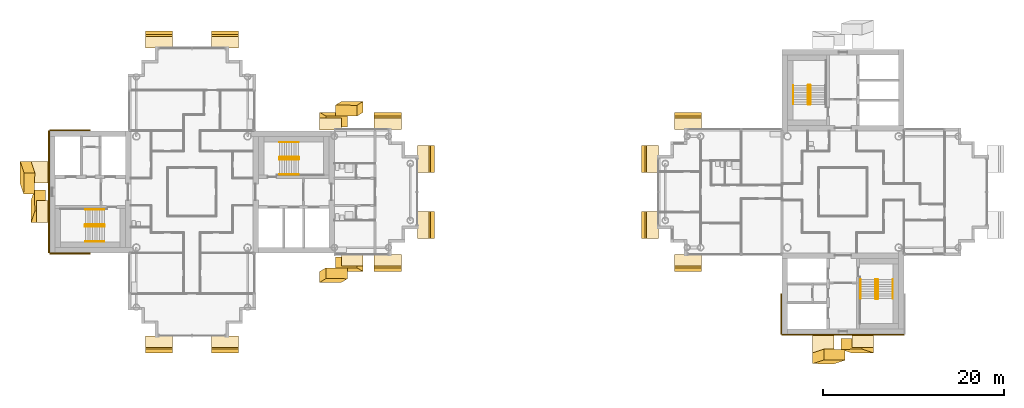
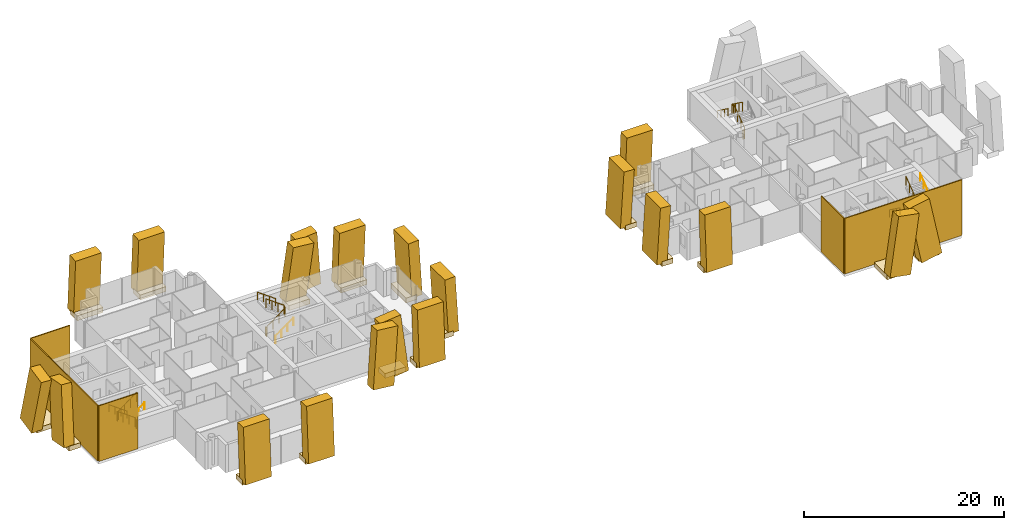
# One storey, part 16 of 18: 43 coverings, 11 railings.
"""IFC4 building model written with IfcOpenShell, lengths in metres."""

from ifc_helpers import new_model, si_unit, direction, frame, origin, origin_2d, place, context, subcontext, project, spatial, rectangle, circle, extrude, material, layer, layer_set, material_profile, profile_set, type_object, element, save


model = new_model("IFC4")

# Units and contexts
model_context = context("Model", 3, precision=1e-05, world=origin(), true_north=direction((0.0, 1.0)))
body_context = subcontext(model_context, "Body", "Model", "MODEL_VIEW")
ifc_project = project(units=[si_unit("LENGTHUNIT", "METRE"), si_unit("AREAUNIT", "SQUARE_METRE"), si_unit("VOLUMEUNIT", "CUBIC_METRE"), si_unit("PLANEANGLEUNIT", "RADIAN"), si_unit("MASSUNIT", "GRAM", prefix="KILO")], contexts=[model_context])

# Site, building, storey
site_placement = place(None, origin())
site = spatial("IfcSite", under=ifc_project, at=site_placement, CompositionType="ELEMENT")
building_placement = place(site_placement, origin())
building = spatial("IfcBuilding", under=site, at=building_placement, Name="Ipe Terrace Towers", CompositionType="ELEMENT")
storey_placement = place(building_placement, frame((0.0, 0.0, 196.0)))
storey = spatial("IfcBuildingStorey", under=building, at=storey_placement, Name="L54", CompositionType="ELEMENT", Elevation=196.0)

# Coverings
ifc_material_1 = material(Name="Concrete C50/60 precast, buff finish", Category="concrete")
ifc_layer = layer(ifc_material_1, 0.1201171875)
ifc_layer_set = layer_set([ifc_layer], Name="STONE CORE CLADDING 120")
covering_type_1 = type_object("IfcCoveringType", Name="STONE CORE CLADDING 120", PredefinedType="CLADDING", material=ifc_layer_set)
covering_1_placement = place(storey_placement, frame((-49.5, -6.81005859375, 0.0), z_axis=(0.0, 0.0, 1.0), x_axis=(1.0, 0.0, 0.0)))
element("IfcCovering", 1, at=covering_1_placement, inside=storey, type_object=covering_type_1, Name="stone core cladding", PredefinedType="CLADDING", context=body_context, shape_type="SweptSolid", body=[
    extrude(rectangle(XDim=4.5, YDim=0.1201171875, at=origin_2d()), origin(), (0.0, 0.0, 1.0), 6.800048828125),
])
covering_2_placement = place(storey_placement, frame((-51.81005859375, 0.0, 0.0), z_axis=(0.0, 0.0, 1.0), x_axis=(0.0, -1.0, 0.0)))
element("IfcCovering", 2, at=covering_2_placement, inside=storey, type_object=covering_type_1, Name="stone core cladding", PredefinedType="CLADDING", context=body_context, shape_type="SweptSolid", body=[
    extrude(rectangle(XDim=13.5, YDim=0.1201171875, at=origin_2d()), origin(), (0.0, 0.0, 1.0), 6.800048828125),
])
covering_3_placement = place(storey_placement, frame((-49.5, 6.81005859375, 0.0), z_axis=(0.0, 0.0, 1.0), x_axis=(-1.0, 0.0, 0.0)))
element("IfcCovering", 3, at=covering_3_placement, inside=storey, type_object=covering_type_1, Name="stone core cladding", PredefinedType="CLADDING", context=body_context, shape_type="SweptSolid", body=[
    extrude(rectangle(XDim=4.5, YDim=0.1201171875, at=origin_2d()), origin(), (0.0, 0.0, 1.0), 6.800048828125),
])
covering_4_placement = place(storey_placement, frame((36.0, -15.81005859375, 0.0), z_axis=(0.0, 0.0, 1.0), x_axis=(1.0, 0.0, 0.0)))
element("IfcCovering", 4, at=covering_4_placement, inside=storey, type_object=covering_type_1, Name="stone core cladding", PredefinedType="CLADDING", context=body_context, shape_type="SweptSolid", body=[
    extrude(rectangle(XDim=13.5, YDim=0.1201171875, at=origin_2d()), origin(), (0.0, 0.0, 1.0), 6.800048828125),
])
covering_5_placement = place(storey_placement, frame((29.18994140625, -13.5, 0.0), z_axis=(0.0, 0.0, 1.0), x_axis=(0.0, -1.0, 0.0)))
element("IfcCovering", 5, at=covering_5_placement, inside=storey, type_object=covering_type_1, Name="stone core cladding", PredefinedType="CLADDING", context=body_context, shape_type="SweptSolid", body=[
    extrude(rectangle(XDim=4.5, YDim=0.1201171875, at=origin_2d()), origin(), (0.0, 0.0, 1.0), 6.800048828125),
])
ifc_material_2 = material(Name="Concrete C50/60 precast, buff finish", Category="concrete")
ifc_material_profile_1 = material_profile(ifc_material_2, rectangle(XDim=2.39990234375, YDim=1.199951171875, at=origin_2d()), Name="STONE FIN 2400 x 1200")
ifc_profile_set_1 = profile_set([ifc_material_profile_1], Name="Concrete C50/60 precast, buff finish")
covering_type_2 = type_object("IfcCoveringType", Name="STONE FIN 2400 x 1200", PredefinedType="USERDEFINED", material=ifc_profile_set_1)
for number, where, z_axis, x_axis, name in (
    (6, (-20.675048828125, -9.406005859375, 0.0), (0.099630455654, 0.060191914511, 0.993202248152), (0.995024508395, -0.006026934833, -0.099447995205), "stone fin"),
    (7, (-20.675048828125, 8.2060546875, 0.0), (0.099630455654, -0.060191914511, 0.993202248152), (-0.995024508395, -0.006026934833, 0.099447995205), "stone fin"),
    (8, (-18.27490234375, -8.2060546875, 0.0), (-0.099630455654, 0.060191914511, 0.993202248152), (0.995024508395, 0.006026934833, 0.099447995205), "stone fin"),
    (9, (-18.27490234375, 9.406005859375, 0.0), (-0.099630455654, -0.060191914511, 0.993202248152), (-0.995024508395, 0.006026934833, -0.099447995205), "stone fin"),
):
    element("IfcCovering", number, at=place(storey_placement, frame(where, z_axis=z_axis, x_axis=x_axis)), inside=storey, type_object=covering_type_2, Name=name, ObjectType="FIN", PredefinedType="USERDEFINED", context=body_context, shape_type="SweptSolid", body=[
        extrude(rectangle(XDim=2.39990234375, YDim=1.199951171875, at=origin_2d()), origin(), (0.0, 0.0, 1.0), 6.8466796875),
    ])
for number, where, z_axis, x_axis, name in (
    (10, (-54.406005859375, 2.169921875, 0.0), (0.05952443799, -0.178220681043, 0.982188490123), (-0.010781085201, -0.983990543069, -0.177894292638), "stone fin"),
    (11, (-53.2060546875, -2.169921875, 0.0), (0.05952443799, 0.178220681043, 0.982188490123), (0.010781085201, -0.983990543069, 0.177894292638), "stone fin"),
    (12, (38.169921875, -17.2060546875, 0.0), (-0.178220681043, 0.05952443799, 0.982188490123), (0.983990543069, 0.010781085201, 0.177894292638), "stone fin"),
    (13, (33.830078125, -18.406005859375, 0.0), (0.178220681043, 0.05952443799, 0.982188490123), (0.983990543069, -0.010781085201, -0.177894292638), "stone fin"),
):
    element("IfcCovering", number, at=place(storey_placement, frame(where, z_axis=z_axis, x_axis=x_axis)), inside=storey, type_object=covering_type_2, Name=name, ObjectType="FIN", PredefinedType="USERDEFINED", context=body_context, shape_type="SweptSolid", body=[
        extrude(rectangle(XDim=2.39990234375, YDim=1.199951171875, at=origin_2d()), origin(), (0.0, 0.0, 1.0), 6.92333984375),
    ])
ifc_material_3 = material(Name="Concrete C50/60 precast, buff finish", Category="concrete")
ifc_material_profile_2 = material_profile(ifc_material_3, rectangle(XDim=3.0, YDim=1.199951171875, at=origin_2d()), Name="STONE FIN CORNER 3000 x 1200")
ifc_profile_set_2 = profile_set([ifc_material_profile_2], Name="Concrete C50/60 precast, buff finish")
covering_type_3 = type_object("IfcCoveringType", Name="STONE FIN CORNER 3000 x 1200", PredefinedType="USERDEFINED", material=ifc_profile_set_2)
for number, where, z_axis, x_axis, name in (
    (14, (-9.7939453125, -3.64990234375, 0.0), (-0.060492896409, 0.0, 0.99816862778), (0.0, 1.0, 0.0), "stone fin"),
    (15, (-9.7939453125, 3.64990234375, 0.0), (-0.060492896409, 0.0, 0.99816862778), (0.0, 1.0, 0.0), "stone fin"),
    (16, (-14.35009765625, -8.2060546875, 0.0), (0.0, 0.060492896409, 0.99816862778), (1.0, 0.0, 0.0), "stone fin"),
    (17, (-14.35009765625, 8.2060546875, 0.0), (0.0, -0.060492896409, 0.99816862778), (-1.0, 0.0, 0.0), "stone fin"),
    (18, (-32.35009765625, -17.2060546875, 0.0), (0.0, 0.060492896409, 0.99816862778), (1.0, 0.0, 0.0), "stone fin"),
    (19, (-32.35009765625, 17.2060546875, 0.0), (0.0, -0.060492896409, 0.99816862778), (-1.0, 0.0, 0.0), "stone fin"),
    (20, (-39.64990234375, -17.2060546875, 0.0), (0.0, 0.060492896409, 0.99816862778), (1.0, 0.0, 0.0), "stone fin"),
    (21, (-39.64990234375, 17.2060546875, 0.0), (0.0, -0.060492896409, 0.99816862778), (-1.0, 0.0, 0.0), "stone fin"),
    (22, (14.2939453125, -3.64990234375, 0.0), (0.060492896409, 0.0, 0.99816862778), (0.0, -1.0, 0.0), "stone fin"),
    (23, (14.2939453125, 3.64990234375, 0.0), (0.060492896409, 0.0, 0.99816862778), (0.0, -1.0, 0.0), "stone fin"),
    (24, (18.85009765625, -8.2060546875, 0.0), (0.0, 0.060492896409, 0.99816862778), (1.0, 0.0, 0.0), "stone fin"),
    (25, (18.85009765625, 8.2060546875, 0.0), (0.0, -0.060492896409, 0.99816862778), (-1.0, 0.0, 0.0), "stone fin"),
):
    element("IfcCovering", number, at=place(storey_placement, frame(where, z_axis=z_axis, x_axis=x_axis)), inside=storey, type_object=covering_type_3, Name=name, ObjectType="FIN", PredefinedType="USERDEFINED", context=body_context, shape_type="SweptSolid", body=[
        extrude(rectangle(XDim=3.0, YDim=1.199951171875, at=origin_2d()), origin(), (0.0, 0.0, 1.0), 6.8125),
    ])
ifc_material_4 = material(Name="Concrete C50/60 precast, buff finish", Category="concrete")
covering_type_4 = type_object("IfcCoveringType", Name="STONE FIN SHELF 2400 x 600", PredefinedType="CLADDING", material=ifc_material_4)
covering_6_placement = place(storey_placement, frame((-20.675048828125, 7.532958984375, -0.35009765625), z_axis=(0.0, 0.0, 1.0), x_axis=(-1.0, 0.0, 0.0)))
element("IfcCovering", 26, at=covering_6_placement, inside=storey, type_object=covering_type_4, Name="stone fin shelf", PredefinedType="CLADDING", context=body_context, shape_type="SweptSolid", body=[
    extrude(rectangle(XDim=2.39990234375, YDim=1.345947265625, at=origin_2d()), origin(), (0.0, 0.0, 1.0), 0.60009765625),
])
covering_7_placement = place(storey_placement, frame((-18.27490234375, -7.56103515625, -0.35009765625), z_axis=(0.0, 0.0, 1.0), x_axis=(1.0, 0.0, 0.0)))
element("IfcCovering", 27, at=covering_7_placement, inside=storey, type_object=covering_type_4, Name="stone fin shelf", PredefinedType="CLADDING", context=body_context, shape_type="SweptSolid", body=[
    extrude(rectangle(XDim=2.39990234375, YDim=1.2900390625, at=origin_2d()), origin(), (0.0, 0.0, 1.0), 0.60009765625),
])
covering_8_placement = place(storey_placement, frame((-53.133056640625, 2.169921875, -0.35009765625), z_axis=(0.0, 0.0, 1.0), x_axis=(0.0, -1.0, 0.0)))
element("IfcCovering", 28, at=covering_8_placement, inside=storey, type_object=covering_type_4, Name="stone fin shelf", PredefinedType="CLADDING", context=body_context, shape_type="SweptSolid", body=[
    extrude(rectangle(XDim=2.39990234375, YDim=2.5458984375, at=origin_2d()), origin(), (0.0, 0.0, 1.0), 0.60009765625),
])
for number, where, z_axis, x_axis, name in (
    (29, (-52.532958984375, -2.169921875, -0.35009765625), (0.0, 0.0, 1.0), (0.0, -1.0, 0.0), "stone fin shelf"),
    (30, (38.169921875, -16.532958984375, -0.35009765625), (0.0, 0.0, 1.0), (1.0, 0.0, 0.0), "stone fin shelf"),
):
    element("IfcCovering", number, at=place(storey_placement, frame(where, z_axis=z_axis, x_axis=x_axis)), inside=storey, type_object=covering_type_4, Name=name, PredefinedType="CLADDING", context=body_context, shape_type="SweptSolid", body=[
        extrude(rectangle(XDim=2.39990234375, YDim=1.345947265625, at=origin_2d()), origin(), (0.0, 0.0, 1.0), 0.60009765625),
    ])
covering_9_placement = place(storey_placement, frame((33.830078125, -17.133056640625, -0.35009765625), z_axis=(0.0, 0.0, 1.0), x_axis=(1.0, 0.0, 0.0)))
element("IfcCovering", 31, at=covering_9_placement, inside=storey, type_object=covering_type_4, Name="stone fin shelf", PredefinedType="CLADDING", context=body_context, shape_type="SweptSolid", body=[
    extrude(rectangle(XDim=2.39990234375, YDim=2.5458984375, at=origin_2d()), origin(), (0.0, 0.0, 1.0), 0.60009765625),
])
ifc_material_5 = material(Name="Concrete C50/60 precast, buff finish", Category="concrete")
covering_type_5 = type_object("IfcCoveringType", Name="STONE FIN SHELF 3000 x 600", PredefinedType="CLADDING", material=ifc_material_5)
for number, where, z_axis, x_axis, name in (
    (32, (-10.43896484375, -3.64990234375, -0.35009765625), (0.0, 0.0, 1.0), (0.0, 1.0, 0.0), "stone fin shelf"),
    (33, (-10.43896484375, 3.64990234375, -0.35009765625), (0.0, 0.0, 1.0), (0.0, 1.0, 0.0), "stone fin shelf"),
    (34, (-14.35009765625, -7.56103515625, -0.35009765625), (0.0, 0.0, 1.0), (1.0, 0.0, 0.0), "stone fin shelf"),
    (35, (-14.35009765625, 7.56103515625, -0.35009765625), (0.0, 0.0, 1.0), (-1.0, 0.0, 0.0), "stone fin shelf"),
    (36, (-32.35009765625, -16.56103515625, -0.35009765625), (0.0, 0.0, 1.0), (1.0, 0.0, 0.0), "stone fin shelf"),
    (37, (-32.35009765625, 16.56103515625, -0.35009765625), (0.0, 0.0, 1.0), (-1.0, 0.0, 0.0), "stone fin shelf"),
    (38, (-39.64990234375, -16.56103515625, -0.35009765625), (0.0, 0.0, 1.0), (1.0, 0.0, 0.0), "stone fin shelf"),
    (39, (-39.64990234375, 16.56103515625, -0.35009765625), (0.0, 0.0, 1.0), (-1.0, 0.0, 0.0), "stone fin shelf"),
    (40, (14.93896484375, -3.64990234375, -0.35009765625), (0.0, 0.0, 1.0), (0.0, -1.0, 0.0), "stone fin shelf"),
    (41, (14.93896484375, 3.64990234375, -0.35009765625), (0.0, 0.0, 1.0), (0.0, -1.0, 0.0), "stone fin shelf"),
    (42, (18.85009765625, -7.56103515625, -0.35009765625), (0.0, 0.0, 1.0), (1.0, 0.0, 0.0), "stone fin shelf"),
    (43, (18.85009765625, 7.56103515625, -0.35009765625), (0.0, 0.0, 1.0), (-1.0, 0.0, 0.0), "stone fin shelf"),
):
    element("IfcCovering", number, at=place(storey_placement, frame(where, z_axis=z_axis, x_axis=x_axis)), inside=storey, type_object=covering_type_5, Name=name, PredefinedType="CLADDING", context=body_context, shape_type="SweptSolid", body=[
        extrude(rectangle(XDim=3.0, YDim=1.2900390625, at=origin_2d()), origin(), (0.0, 0.0, 1.0), 0.60009765625),
    ])

# Railings
ifc_material_6 = material(Name="Steel S355", Category="steel")
railing_type_1 = type_object("IfcRailingType", Name="Stair guard 1100", PredefinedType="GUARDRAIL", material=ifc_material_6)
railing_1_placement = place(storey_placement, frame((-26.35009765625, 3.800048828125, 0.0)))
element("IfcRailing", 44, at=railing_1_placement, inside=storey, type_object=railing_type_1, Name="L54 T1-ST1 stair guard 1", PredefinedType="GUARDRAIL", context=body_context, shape_type="SweptSolid", body=[
    extrude(circle(Radius=0.02392578125, at=origin_2d()), frame((0.0, 0.0, 1.076171875), z_axis=(0.0, -1.0, 0.0), x_axis=(1.0, 0.0, 0.0)), (0.0, 0.0, 1.0), 0.150146484375),
    extrude(circle(Radius=0.02392578125, at=origin_2d()), frame((0.0, -0.150146484375, 1.076171875), z_axis=(0.248103849378, -0.246893586699, 0.936743314239), x_axis=(0.705375805398, 0.708833529934, 0.0)), (0.0, 0.0, 1.0), 0.20166015625),
    extrude(circle(Radius=0.02392578125, at=origin_2d()), frame((0.050048828125, -0.199951171875, 1.26513671875), z_axis=(0.809068575486, 0.0, 0.587714250432), x_axis=(0.0, 1.0, 0.0)), (0.0, 0.0, 1.0), 2.571044921875),
    extrude(circle(Radius=0.02392578125, at=origin_2d()), frame((2.130126953125, -0.199951171875, 2.77587890625), z_axis=(0.708833529934, 0.705375805398, 0.0), x_axis=(-0.705375805398, 0.708833529934, 0.0)), (0.0, 0.0, 1.0), 0.070556640625),
    extrude(circle(Radius=0.02392578125, at=origin_2d()), frame((2.18017578125, -0.150146484375, 2.77587890625), z_axis=(0.0, 1.0, 0.0), x_axis=(-1.0, 0.0, 0.0)), (0.0, 0.0, 1.0), 0.150146484375),
    extrude(circle(Radius=0.02392578125, at=origin_2d()), frame((2.18017578125, 0.0, 2.77587890625), z_axis=(-0.248029566107, 0.248029566107, 0.936462849596), x_axis=(-0.707106781187, -0.707106781187, 0.0)), (0.0, 0.0, 1.0), 0.201904296875),
    extrude(circle(Radius=0.02392578125, at=origin_2d()), frame((2.130126953125, 0.050048828125, 2.96484375), z_axis=(-0.809068575486, 0.0, 0.587714250432), x_axis=(0.0, -1.0, 0.0)), (0.0, 0.0, 1.0), 2.571044921875),
    extrude(circle(Radius=0.02099609375, at=origin_2d()), origin(), (0.0, 0.0, 1.0), 1.052001953125),
    extrude(circle(Radius=0.02099609375, at=origin_2d()), frame((0.0, -0.150146484375, 0.0)), (0.0, 0.0, 1.0), 1.052001953125),
    extrude(circle(Radius=0.02099609375, at=origin_2d()), frame((0.050048828125, -0.199951171875, 0.18896484375)), (0.0, 0.0, 1.0), 1.052001953125),
    extrude(circle(Radius=0.02099609375, at=origin_2d()), frame((0.743408203125, -0.199951171875, 0.692626953125)), (0.0, 0.0, 1.0), 1.052001953125),
    extrude(circle(Radius=0.02099609375, at=origin_2d()), frame((1.436767578125, -0.199951171875, 1.1962890625)), (0.0, 0.0, 1.0), 1.052001953125),
    extrude(circle(Radius=0.02099609375, at=origin_2d()), frame((2.130126953125, -0.199951171875, 1.699951171875)), (0.0, 0.0, 1.0), 1.052001953125),
    extrude(circle(Radius=0.02099609375, at=origin_2d()), frame((2.18017578125, -0.150146484375, 1.699951171875)), (0.0, 0.0, 1.0), 1.052001953125),
    extrude(circle(Radius=0.02099609375, at=origin_2d()), frame((2.18017578125, 0.0, 1.699951171875)), (0.0, 0.0, 1.0), 1.052001953125),
    extrude(circle(Radius=0.02099609375, at=origin_2d()), frame((2.130126953125, 0.050048828125, 1.888916015625)), (0.0, 0.0, 1.0), 1.052001953125),
    extrude(circle(Radius=0.02099609375, at=origin_2d()), frame((1.436767578125, 0.050048828125, 2.392578125)), (0.0, 0.0, 1.0), 1.052001953125),
    extrude(circle(Radius=0.02099609375, at=origin_2d()), frame((0.743408203125, 0.050048828125, 2.896240234375)), (0.0, 0.0, 1.0), 1.052001953125),
    extrude(circle(Radius=0.02099609375, at=origin_2d()), frame((0.050048828125, 0.050048828125, 3.39990234375)), (0.0, 0.0, 1.0), 1.052001953125),
])
railing_2_placement = place(storey_placement, frame((-45.64990234375, -3.800048828125, 0.0)))
element("IfcRailing", 45, at=railing_2_placement, inside=storey, type_object=railing_type_1, Name="L54 T1-ST2 stair guard 1", PredefinedType="GUARDRAIL", context=body_context, shape_type="SweptSolid", body=[
    extrude(circle(Radius=0.02392578125, at=origin_2d()), frame((0.0, 0.0, 1.076171875), z_axis=(0.0, 1.0, 0.0), x_axis=(-1.0, 0.0, 0.0)), (0.0, 0.0, 1.0), 0.150146484375),
    extrude(circle(Radius=0.02392578125, at=origin_2d()), frame((0.0, 0.150146484375, 1.076171875), z_axis=(-0.248103849378, 0.246893586699, 0.936743314239), x_axis=(-0.705375805398, -0.708833529934, 0.0)), (0.0, 0.0, 1.0), 0.20166015625),
    extrude(circle(Radius=0.02392578125, at=origin_2d()), frame((-0.050048828125, 0.199951171875, 1.26513671875), z_axis=(-0.809068575486, 0.0, 0.587714250432), x_axis=(0.0, -1.0, 0.0)), (0.0, 0.0, 1.0), 2.571044921875),
    extrude(circle(Radius=0.02392578125, at=origin_2d()), frame((-2.130126953125, 0.199951171875, 2.77587890625), z_axis=(-0.708833529934, -0.705375805398, 0.0), x_axis=(0.705375805398, -0.708833529934, 0.0)), (0.0, 0.0, 1.0), 0.070556640625),
    extrude(circle(Radius=0.02392578125, at=origin_2d()), frame((-2.18017578125, 0.150146484375, 2.77587890625), z_axis=(0.0, -1.0, 0.0), x_axis=(1.0, 0.0, 0.0)), (0.0, 0.0, 1.0), 0.150146484375),
    extrude(circle(Radius=0.02392578125, at=origin_2d()), frame((-2.18017578125, 0.0, 2.77587890625), z_axis=(0.248029566107, -0.248029566107, 0.936462849596), x_axis=(0.707106781187, 0.707106781187, 0.0)), (0.0, 0.0, 1.0), 0.201904296875),
    extrude(circle(Radius=0.02392578125, at=origin_2d()), frame((-2.130126953125, -0.050048828125, 2.96484375), z_axis=(0.809068575486, 0.0, 0.587714250432), x_axis=(0.0, 1.0, 0.0)), (0.0, 0.0, 1.0), 2.571044921875),
    extrude(circle(Radius=0.02099609375, at=origin_2d()), origin(), (0.0, 0.0, 1.0), 1.052001953125),
    extrude(circle(Radius=0.02099609375, at=origin_2d()), frame((0.0, 0.150146484375, 0.0)), (0.0, 0.0, 1.0), 1.052001953125),
    extrude(circle(Radius=0.02099609375, at=origin_2d()), frame((-0.050048828125, 0.199951171875, 0.18896484375)), (0.0, 0.0, 1.0), 1.052001953125),
    extrude(circle(Radius=0.02099609375, at=origin_2d()), frame((-0.743408203125, 0.199951171875, 0.692626953125)), (0.0, 0.0, 1.0), 1.052001953125),
    extrude(circle(Radius=0.02099609375, at=origin_2d()), frame((-1.436767578125, 0.199951171875, 1.1962890625)), (0.0, 0.0, 1.0), 1.052001953125),
    extrude(circle(Radius=0.02099609375, at=origin_2d()), frame((-2.130126953125, 0.199951171875, 1.699951171875)), (0.0, 0.0, 1.0), 1.052001953125),
    extrude(circle(Radius=0.02099609375, at=origin_2d()), frame((-2.18017578125, 0.150146484375, 1.699951171875)), (0.0, 0.0, 1.0), 1.052001953125),
    extrude(circle(Radius=0.02099609375, at=origin_2d()), frame((-2.18017578125, 0.0, 1.699951171875)), (0.0, 0.0, 1.0), 1.052001953125),
    extrude(circle(Radius=0.02099609375, at=origin_2d()), frame((-2.130126953125, -0.050048828125, 1.888916015625)), (0.0, 0.0, 1.0), 1.052001953125),
    extrude(circle(Radius=0.02099609375, at=origin_2d()), frame((-1.436767578125, -0.050048828125, 2.392578125)), (0.0, 0.0, 1.0), 1.052001953125),
    extrude(circle(Radius=0.02099609375, at=origin_2d()), frame((-0.743408203125, -0.050048828125, 2.896240234375)), (0.0, 0.0, 1.0), 1.052001953125),
    extrude(circle(Radius=0.02099609375, at=origin_2d()), frame((-0.050048828125, -0.050048828125, 3.39990234375)), (0.0, 0.0, 1.0), 1.052001953125),
])
railing_3_placement = place(storey_placement, frame((32.199951171875, 9.64990234375, 0.0)))
element("IfcRailing", 46, at=railing_3_placement, inside=storey, type_object=railing_type_1, Name="L54 T2-ST1 stair guard 1", PredefinedType="GUARDRAIL", context=body_context, shape_type="SweptSolid", body=[
    extrude(circle(Radius=0.02392578125, at=origin_2d()), frame((0.0, 0.0, 1.076171875), z_axis=(1.0, 0.0, 0.0), x_axis=(0.0, 1.0, 0.0)), (0.0, 0.0, 1.0), 0.150146484375),
    extrude(circle(Radius=0.02392578125, at=origin_2d()), frame((0.150146484375, 0.0, 1.076171875), z_axis=(0.246893586699, 0.248103849378, 0.936743314239), x_axis=(-0.708833529934, 0.705375805398, 0.0)), (0.0, 0.0, 1.0), 0.20166015625),
    extrude(circle(Radius=0.02392578125, at=origin_2d()), frame((0.199951171875, 0.050048828125, 1.26513671875), z_axis=(0.0, 0.809068575486, 0.587714250432), x_axis=(-1.0, 0.0, 0.0)), (0.0, 0.0, 1.0), 2.571044921875),
    extrude(circle(Radius=0.02392578125, at=origin_2d()), frame((0.199951171875, 2.130126953125, 2.77587890625), z_axis=(-0.705375805398, 0.708833529934, 0.0), x_axis=(-0.708833529934, -0.705375805398, 0.0)), (0.0, 0.0, 1.0), 0.070556640625),
    extrude(circle(Radius=0.02392578125, at=origin_2d()), frame((0.150146484375, 2.18017578125, 2.77587890625), z_axis=(-1.0, 0.0, 0.0), x_axis=(0.0, -1.0, 0.0)), (0.0, 0.0, 1.0), 0.150146484375),
    extrude(circle(Radius=0.02392578125, at=origin_2d()), frame((0.0, 2.18017578125, 2.77587890625), z_axis=(-0.248029566107, -0.248029566107, 0.936462849596), x_axis=(0.707106781187, -0.707106781187, 0.0)), (0.0, 0.0, 1.0), 0.201904296875),
    extrude(circle(Radius=0.02392578125, at=origin_2d()), frame((-0.050048828125, 2.130126953125, 2.96484375), z_axis=(0.0, -0.809068575486, 0.587714250432), x_axis=(1.0, 0.0, 0.0)), (0.0, 0.0, 1.0), 2.571044921875),
    extrude(circle(Radius=0.02099609375, at=origin_2d()), origin(), (0.0, 0.0, 1.0), 1.052001953125),
    extrude(circle(Radius=0.02099609375, at=origin_2d()), frame((0.150146484375, 0.0, 0.0)), (0.0, 0.0, 1.0), 1.052001953125),
    extrude(circle(Radius=0.02099609375, at=origin_2d()), frame((0.199951171875, 0.050048828125, 0.18896484375)), (0.0, 0.0, 1.0), 1.052001953125),
    extrude(circle(Radius=0.02099609375, at=origin_2d()), frame((0.199951171875, 0.743408203125, 0.692626953125)), (0.0, 0.0, 1.0), 1.052001953125),
    extrude(circle(Radius=0.02099609375, at=origin_2d()), frame((0.199951171875, 1.436767578125, 1.1962890625)), (0.0, 0.0, 1.0), 1.052001953125),
    extrude(circle(Radius=0.02099609375, at=origin_2d()), frame((0.199951171875, 2.130126953125, 1.699951171875)), (0.0, 0.0, 1.0), 1.052001953125),
    extrude(circle(Radius=0.02099609375, at=origin_2d()), frame((0.150146484375, 2.18017578125, 1.699951171875)), (0.0, 0.0, 1.0), 1.052001953125),
    extrude(circle(Radius=0.02099609375, at=origin_2d()), frame((0.0, 2.18017578125, 1.699951171875)), (0.0, 0.0, 1.0), 1.052001953125),
    extrude(circle(Radius=0.02099609375, at=origin_2d()), frame((-0.050048828125, 2.130126953125, 1.888916015625)), (0.0, 0.0, 1.0), 1.052001953125),
    extrude(circle(Radius=0.02099609375, at=origin_2d()), frame((-0.050048828125, 1.436767578125, 2.392578125)), (0.0, 0.0, 1.0), 1.052001953125),
    extrude(circle(Radius=0.02099609375, at=origin_2d()), frame((-0.050048828125, 0.743408203125, 2.896240234375)), (0.0, 0.0, 1.0), 1.052001953125),
    extrude(circle(Radius=0.02099609375, at=origin_2d()), frame((-0.050048828125, 0.050048828125, 3.39990234375)), (0.0, 0.0, 1.0), 1.052001953125),
])
railing_4_placement = place(storey_placement, frame((39.800048828125, -9.64990234375, 0.0)))
element("IfcRailing", 47, at=railing_4_placement, inside=storey, type_object=railing_type_1, Name="L54 T2-ST2 stair guard 1", PredefinedType="GUARDRAIL", context=body_context, shape_type="SweptSolid", body=[
    extrude(circle(Radius=0.02392578125, at=origin_2d()), frame((0.0, 0.0, 1.076171875), z_axis=(-1.0, 0.0, 0.0), x_axis=(0.0, -1.0, 0.0)), (0.0, 0.0, 1.0), 0.150146484375),
    extrude(circle(Radius=0.02392578125, at=origin_2d()), frame((-0.150146484375, 0.0, 1.076171875), z_axis=(-0.246893586699, -0.248103849378, 0.936743314239), x_axis=(0.708833529934, -0.705375805398, 0.0)), (0.0, 0.0, 1.0), 0.20166015625),
    extrude(circle(Radius=0.02392578125, at=origin_2d()), frame((-0.199951171875, -0.050048828125, 1.26513671875), z_axis=(0.0, -0.809068575486, 0.587714250432), x_axis=(1.0, 0.0, 0.0)), (0.0, 0.0, 1.0), 2.571044921875),
    extrude(circle(Radius=0.02392578125, at=origin_2d()), frame((-0.199951171875, -2.130126953125, 2.77587890625), z_axis=(0.705375805398, -0.708833529934, 0.0), x_axis=(0.708833529934, 0.705375805398, 0.0)), (0.0, 0.0, 1.0), 0.070556640625),
    extrude(circle(Radius=0.02392578125, at=origin_2d()), frame((-0.150146484375, -2.18017578125, 2.77587890625), z_axis=(1.0, 0.0, 0.0), x_axis=(0.0, 1.0, 0.0)), (0.0, 0.0, 1.0), 0.150146484375),
    extrude(circle(Radius=0.02392578125, at=origin_2d()), frame((0.0, -2.18017578125, 2.77587890625), z_axis=(0.248029566107, 0.248029566107, 0.936462849596), x_axis=(-0.707106781187, 0.707106781187, 0.0)), (0.0, 0.0, 1.0), 0.201904296875),
    extrude(circle(Radius=0.02392578125, at=origin_2d()), frame((0.050048828125, -2.130126953125, 2.96484375), z_axis=(0.0, 0.809068575486, 0.587714250432), x_axis=(-1.0, 0.0, 0.0)), (0.0, 0.0, 1.0), 2.571044921875),
    extrude(circle(Radius=0.02099609375, at=origin_2d()), origin(), (0.0, 0.0, 1.0), 1.052001953125),
    extrude(circle(Radius=0.02099609375, at=origin_2d()), frame((-0.150146484375, 0.0, 0.0)), (0.0, 0.0, 1.0), 1.052001953125),
    extrude(circle(Radius=0.02099609375, at=origin_2d()), frame((-0.199951171875, -0.050048828125, 0.18896484375)), (0.0, 0.0, 1.0), 1.052001953125),
    extrude(circle(Radius=0.02099609375, at=origin_2d()), frame((-0.199951171875, -0.743408203125, 0.692626953125)), (0.0, 0.0, 1.0), 1.052001953125),
    extrude(circle(Radius=0.02099609375, at=origin_2d()), frame((-0.199951171875, -1.436767578125, 1.1962890625)), (0.0, 0.0, 1.0), 1.052001953125),
    extrude(circle(Radius=0.02099609375, at=origin_2d()), frame((-0.199951171875, -2.130126953125, 1.699951171875)), (0.0, 0.0, 1.0), 1.052001953125),
    extrude(circle(Radius=0.02099609375, at=origin_2d()), frame((-0.150146484375, -2.18017578125, 1.699951171875)), (0.0, 0.0, 1.0), 1.052001953125),
    extrude(circle(Radius=0.02099609375, at=origin_2d()), frame((0.0, -2.18017578125, 1.699951171875)), (0.0, 0.0, 1.0), 1.052001953125),
    extrude(circle(Radius=0.02099609375, at=origin_2d()), frame((0.050048828125, -2.130126953125, 1.888916015625)), (0.0, 0.0, 1.0), 1.052001953125),
    extrude(circle(Radius=0.02099609375, at=origin_2d()), frame((0.050048828125, -1.436767578125, 2.392578125)), (0.0, 0.0, 1.0), 1.052001953125),
    extrude(circle(Radius=0.02099609375, at=origin_2d()), frame((0.050048828125, -0.743408203125, 2.896240234375)), (0.0, 0.0, 1.0), 1.052001953125),
    extrude(circle(Radius=0.02099609375, at=origin_2d()), frame((0.050048828125, -0.050048828125, 3.39990234375)), (0.0, 0.0, 1.0), 1.052001953125),
])
ifc_material_7 = material(Name="Stainless steel grade 304", Category="steel")
railing_type_2 = type_object("IfcRailingType", Name="Stair handrail 900", PredefinedType="HANDRAIL", material=ifc_material_7)
railing_5_placement = place(storey_placement, frame((-26.300048828125, 1.949951171875, 0.18896484375)))
element("IfcRailing", 48, at=railing_5_placement, inside=storey, type_object=railing_type_2, Name="L54 T1-ST1 stair handrail 1", PredefinedType="HANDRAIL", context=body_context, shape_type="SweptSolid", body=[
    extrude(circle(Radius=0.02392578125, at=origin_2d()), frame((0.0, 0.0, 0.8759765625), z_axis=(0.809068575486, 0.0, 0.587714250432), x_axis=(0.0, 1.0, 0.0)), (0.0, 0.0, 1.0), 2.571044921875),
    extrude(circle(Radius=0.02099609375, at=origin_2d()), origin(), (0.0, 0.0, 1.0), 0.851806640625),
    extrude(circle(Radius=0.02099609375, at=origin_2d()), frame((0.693359375, 0.0, 0.503662109375)), (0.0, 0.0, 1.0), 0.851806640625),
    extrude(circle(Radius=0.02099609375, at=origin_2d()), frame((1.38671875, 0.0, 1.00732421875)), (0.0, 0.0, 1.0), 0.851806640625),
    extrude(circle(Radius=0.02099609375, at=origin_2d()), frame((2.080078125, 0.0, 1.510986328125)), (0.0, 0.0, 1.0), 0.851806640625),
])
for number, where, name in (
    (49, (-24.219970703125, 5.5, 1.888916015625), "L54 T1-ST1 stair handrail 2"),
    (50, (-45.699951171875, -1.949951171875, 0.18896484375), "L54 T1-ST2 stair handrail 1"),
):
    element("IfcRailing", number, at=place(storey_placement, frame(where)), inside=storey, type_object=railing_type_2, Name=name, PredefinedType="HANDRAIL", context=body_context, shape_type="SweptSolid", body=[
        extrude(circle(Radius=0.02392578125, at=origin_2d()), frame((0.0, 0.0, 0.8759765625), z_axis=(-0.809068575486, 0.0, 0.587714250432), x_axis=(0.0, -1.0, 0.0)), (0.0, 0.0, 1.0), 2.571044921875),
        extrude(circle(Radius=0.02099609375, at=origin_2d()), origin(), (0.0, 0.0, 1.0), 0.851806640625),
        extrude(circle(Radius=0.02099609375, at=origin_2d()), frame((-0.693359375, 0.0, 0.503662109375)), (0.0, 0.0, 1.0), 0.851806640625),
        extrude(circle(Radius=0.02099609375, at=origin_2d()), frame((-1.38671875, 0.0, 1.00732421875)), (0.0, 0.0, 1.0), 0.851806640625),
        extrude(circle(Radius=0.02099609375, at=origin_2d()), frame((-2.080078125, 0.0, 1.510986328125)), (0.0, 0.0, 1.0), 0.851806640625),
    ])
railing_6_placement = place(storey_placement, frame((-47.780029296875, -5.5, 1.888916015625)))
element("IfcRailing", 51, at=railing_6_placement, inside=storey, type_object=railing_type_2, Name="L54 T1-ST2 stair handrail 2", PredefinedType="HANDRAIL", context=body_context, shape_type="SweptSolid", body=[
    extrude(circle(Radius=0.02392578125, at=origin_2d()), frame((0.0, 0.0, 0.8759765625), z_axis=(0.809068575486, 0.0, 0.587714250432), x_axis=(0.0, 1.0, 0.0)), (0.0, 0.0, 1.0), 2.571044921875),
    extrude(circle(Radius=0.02099609375, at=origin_2d()), origin(), (0.0, 0.0, 1.0), 0.851806640625),
    extrude(circle(Radius=0.02099609375, at=origin_2d()), frame((0.693359375, 0.0, 0.503662109375)), (0.0, 0.0, 1.0), 0.851806640625),
    extrude(circle(Radius=0.02099609375, at=origin_2d()), frame((1.38671875, 0.0, 1.00732421875)), (0.0, 0.0, 1.0), 0.851806640625),
    extrude(circle(Radius=0.02099609375, at=origin_2d()), frame((2.080078125, 0.0, 1.510986328125)), (0.0, 0.0, 1.0), 0.851806640625),
])
for number, where, name in (
    (52, (30.5, 11.780029296875, 1.888916015625), "L54 T2-ST1 stair handrail 2"),
    (53, (37.949951171875, -9.699951171875, 0.18896484375), "L54 T2-ST2 stair handrail 1"),
):
    element("IfcRailing", number, at=place(storey_placement, frame(where)), inside=storey, type_object=railing_type_2, Name=name, PredefinedType="HANDRAIL", context=body_context, shape_type="SweptSolid", body=[
        extrude(circle(Radius=0.02392578125, at=origin_2d()), frame((0.0, 0.0, 0.8759765625), z_axis=(0.0, -0.809068575486, 0.587714250432), x_axis=(1.0, 0.0, 0.0)), (0.0, 0.0, 1.0), 2.571044921875),
        extrude(circle(Radius=0.02099609375, at=origin_2d()), origin(), (0.0, 0.0, 1.0), 0.851806640625),
        extrude(circle(Radius=0.02099609375, at=origin_2d()), frame((0.0, -0.693359375, 0.503662109375)), (0.0, 0.0, 1.0), 0.851806640625),
        extrude(circle(Radius=0.02099609375, at=origin_2d()), frame((0.0, -1.38671875, 1.00732421875)), (0.0, 0.0, 1.0), 0.851806640625),
        extrude(circle(Radius=0.02099609375, at=origin_2d()), frame((0.0, -2.080078125, 1.510986328125)), (0.0, 0.0, 1.0), 0.851806640625),
    ])
railing_7_placement = place(storey_placement, frame((41.5, -11.780029296875, 1.888916015625)))
element("IfcRailing", 54, at=railing_7_placement, inside=storey, type_object=railing_type_2, Name="L54 T2-ST2 stair handrail 2", PredefinedType="HANDRAIL", context=body_context, shape_type="SweptSolid", body=[
    extrude(circle(Radius=0.02392578125, at=origin_2d()), frame((0.0, 0.0, 0.8759765625), z_axis=(0.0, 0.809068575486, 0.587714250432), x_axis=(-1.0, 0.0, 0.0)), (0.0, 0.0, 1.0), 2.571044921875),
    extrude(circle(Radius=0.02099609375, at=origin_2d()), origin(), (0.0, 0.0, 1.0), 0.851806640625),
    extrude(circle(Radius=0.02099609375, at=origin_2d()), frame((0.0, 0.693359375, 0.503662109375)), (0.0, 0.0, 1.0), 0.851806640625),
    extrude(circle(Radius=0.02099609375, at=origin_2d()), frame((0.0, 1.38671875, 1.00732421875)), (0.0, 0.0, 1.0), 0.851806640625),
    extrude(circle(Radius=0.02099609375, at=origin_2d()), frame((0.0, 2.080078125, 1.510986328125)), (0.0, 0.0, 1.0), 0.851806640625),
])

save(model, "model.ifc")
